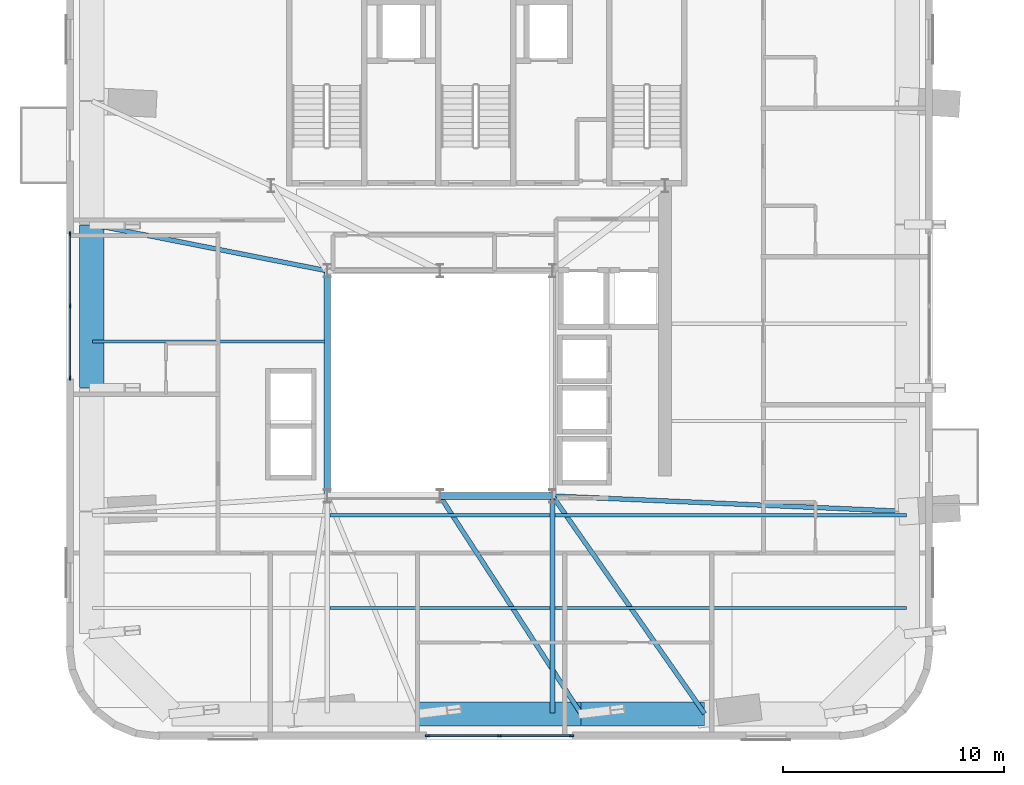
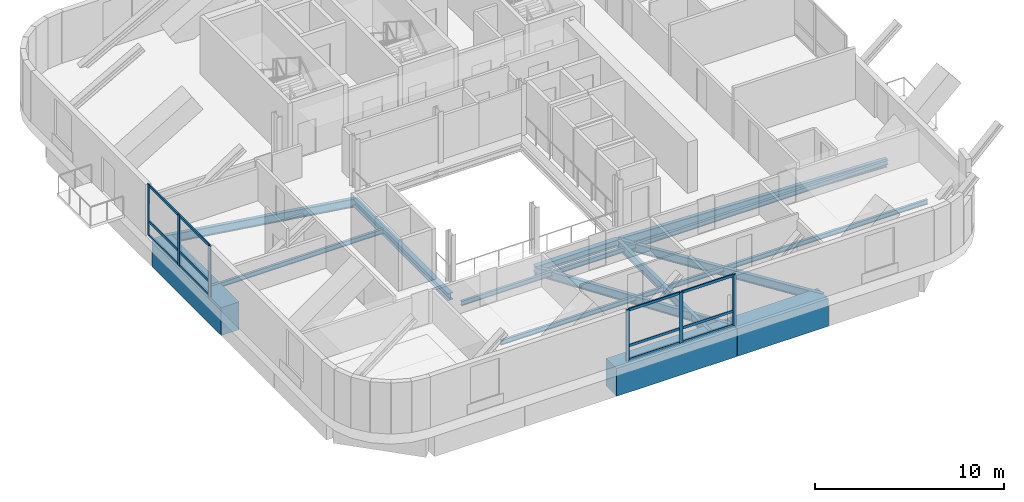
# One storey, part 2 of 12: 18 members, 15 beams, 2 elements without a shape of their own.
"""IFC4 building model written with IfcOpenShell, lengths in metres."""

from ifc_helpers import new_model, si_unit, direction, frame, origin, origin_2d, place, context, subcontext, project, spatial, rectangle, i_section, extrude, source, transform, mapped, material, material_profile, profile_set, type_object, element, aggregate, save


model = new_model("IFC4")

# Units and contexts
model_context = context("Model", 3, precision=1e-05, world=origin(), true_north=direction((0.0, 1.0)))
body_context = subcontext(model_context, "Body", "Model", "MODEL_VIEW")
ifc_project = project(units=[si_unit("LENGTHUNIT", "METRE"), si_unit("AREAUNIT", "SQUARE_METRE"), si_unit("VOLUMEUNIT", "CUBIC_METRE"), si_unit("PLANEANGLEUNIT", "RADIAN"), si_unit("MASSUNIT", "GRAM", prefix="KILO")], contexts=[model_context])

# Site, building, storey
site_placement = place(None, origin())
site = spatial("IfcSite", under=ifc_project, at=site_placement, CompositionType="ELEMENT")
building_placement = place(site_placement, origin())
building = spatial("IfcBuilding", under=site, at=building_placement, Name="Vardaveli Station Tower", CompositionType="ELEMENT")
storey_placement = place(building_placement, frame((0.0, 0.0, 282.199951171875)))
storey = spatial("IfcBuildingStorey", under=building, at=storey_placement, Name="L72", CompositionType="ELEMENT", Elevation=282.199951171875)

# Beams
ifc_material_1 = material(Name="Structural steel S355J2", Category="steel")
ifc_material_profile_1 = material_profile(ifc_material_1, i_section(OverallWidth=0.300048828125, OverallDepth=0.449951171875, WebThickness=0.013916015625, FlangeThickness=0.02587890625, FilletRadius=0.027099609375, at=origin_2d()), Name="HEB 450")
ifc_profile_set_1 = profile_set([ifc_material_profile_1], Name="Structural steel S355J2")
beam_type_1 = type_object("IfcBeamType", Name="BM-HEB450", PredefinedType="BEAM", material=ifc_profile_set_1)
shared_shape_1 = source(origin(), body_context, "Body", "SweptSolid", [
    extrude(i_section(OverallWidth=0.300048828125, OverallDepth=0.449951171875, WebThickness=0.013916015625, FlangeThickness=0.02587890625, FilletRadius=0.027099609375, at=origin_2d()), origin(), (0.0, 0.0, 1.0), 5.059814453125),
])
beam_1_placement = place(storey_placement, frame((36.320068359375, 16.60009765625, -0.875), z_axis=(1.0, 0.0, 0.0), x_axis=(0.0, 1.0, 0.0)))
element("IfcBeam", 1, at=beam_1_placement, inside=storey, type_object=beam_type_1, Name="ABM-L72-02", PredefinedType="BEAM", context=body_context, shape_type="MappedRepresentation", body=[
    mapped(shared_shape_1, transform((0.0, 0.0, 0.0), scale=1.0)),
])
shared_shape_2 = source(origin(), body_context, "Body", "SweptSolid", [
    extrude(i_section(OverallWidth=0.300048828125, OverallDepth=0.449951171875, WebThickness=0.013916015625, FlangeThickness=0.02587890625, FilletRadius=0.027099609375, at=origin_2d()), origin(), (0.0, 0.0, 1.0), 10.159912109375),
])
beam_2_placement = place(storey_placement, frame((31.199951171875, 26.780029296875, -0.875), z_axis=(0.0, -1.0, 0.0), x_axis=(1.0, 0.0, 0.0)))
element("IfcBeam", 2, at=beam_2_placement, inside=storey, type_object=beam_type_1, Name="ABM-L72-06", PredefinedType="BEAM", context=body_context, shape_type="MappedRepresentation", body=[
    mapped(shared_shape_2, transform((0.0, 0.0, 0.0), scale=1.0)),
])
ifc_material_profile_2 = material_profile(ifc_material_1, i_section(OverallWidth=0.14990234375, OverallDepth=0.300048828125, WebThickness=0.007080078125, FlangeThickness=0.0107421875, FilletRadius=0.014892578125, at=origin_2d()), Name="IPE 300")
ifc_profile_set_2 = profile_set([ifc_material_profile_2], Name="Structural steel S355J2")
beam_type_2 = type_object("IfcBeamType", Name="BM-IPE300", PredefinedType="JOIST", material=ifc_profile_set_2)
shared_shape_3 = source(origin(), body_context, "Body", "SweptSolid", [
    extrude(i_section(OverallWidth=0.14990234375, OverallDepth=0.300048828125, WebThickness=0.007080078125, FlangeThickness=0.0107421875, FilletRadius=0.014892578125, at=origin_2d()), origin(), (0.0, 0.0, 1.0), 9.97607421875),
])
for number, where, z_axis, x_axis, name in (
    (3, (31.31201171875, 11.530029296875, -0.800048828125), (1.0, 0.0, 0.0), (0.0, 1.0, 0.0), "SJ-L72-S02"),
    (4, (31.31201171875, 15.72998046875, -0.800048828125), (1.0, 0.0, 0.0), (0.0, 1.0, 0.0), "SJ-L72-S05"),
):
    element("IfcBeam", number, at=place(storey_placement, frame(where, z_axis=z_axis, x_axis=x_axis)), inside=storey, type_object=beam_type_2, Name=name, PredefinedType="JOIST", context=body_context, shape_type="MappedRepresentation", body=[
        mapped(shared_shape_3, transform((0.0, 0.0, 0.0), scale=1.0)),
    ])
ifc_material_2 = material(Name="Concrete C60/75", Category="concrete")
ifc_material_profile_3 = material_profile(ifc_material_2, rectangle(XDim=1.10009765625, YDim=1.800048828125, at=origin_2d()), Name="TG 1100x1800")
ifc_profile_set_3 = profile_set([ifc_material_profile_3], Name="Concrete C60/75")
beam_type_3 = type_object("IfcBeamType", Name="BM-TG-1800", PredefinedType="BEAM", material=ifc_profile_set_3)
shared_shape_4 = source(origin(), body_context, "Body", "SweptSolid", [
    extrude(rectangle(XDim=1.10009765625, YDim=1.800048828125, at=origin_2d()), origin(), (0.0, 0.0, 1.0), 5.56005859375),
])
beam_3_placement = place(storey_placement, frame((42.719970703125, 6.72998046875, -1.550048828125), z_axis=(1.0, 0.0, 0.0), x_axis=(0.0, 1.0, 0.0)))
element("IfcBeam", 5, at=beam_3_placement, inside=storey, type_object=beam_type_3, Name="RBM-L72-03", PredefinedType="BEAM", context=body_context, shape_type="MappedRepresentation", body=[
    mapped(shared_shape_4, transform((0.0, 0.0, 0.0), scale=1.0)),
])
shared_shape_5 = source(origin(), body_context, "Body", "SweptSolid", [
    extrude(rectangle(XDim=1.10009765625, YDim=1.800048828125, at=origin_2d()), origin(), (0.0, 0.0, 1.0), 7.35986328125),
])
for number, where, z_axis, x_axis, name in (
    (6, (35.320068359375, 6.72998046875, -1.550048828125), (1.0, 0.0, 0.0), (0.0, 1.0, 0.0), "RBM-L72-02"),
    (7, (20.530029296875, 28.8798828125, -1.550048828125), (0.0, -1.0, 0.0), (1.0, 0.0, 0.0), "RBM-L72-20"),
):
    element("IfcBeam", number, at=place(storey_placement, frame(where, z_axis=z_axis, x_axis=x_axis)), inside=storey, type_object=beam_type_3, Name=name, PredefinedType="BEAM", context=body_context, shape_type="MappedRepresentation", body=[
        mapped(shared_shape_5, transform((0.0, 0.0, 0.0), scale=1.0)),
    ])
ifc_material_profile_4 = material_profile(ifc_material_1, i_section(OverallWidth=0.2099609375, OverallDepth=0.550048828125, WebThickness=0.010986328125, FlangeThickness=0.01708984375, FilletRadius=0.02392578125, at=origin_2d()), Name="IPE 550")
ifc_profile_set_4 = profile_set([ifc_material_profile_4], Name="Structural steel S355J2")
beam_type_4 = type_object("IfcBeamType", Name="BM-IPE550", PredefinedType="BEAM", material=ifc_profile_set_4)
shared_shape_6 = source(origin(), body_context, "Body", "SweptSolid", [
    extrude(i_section(OverallWidth=0.2099609375, OverallDepth=0.550048828125, WebThickness=0.010986328125, FlangeThickness=0.01708984375, FilletRadius=0.02392578125, at=origin_2d()), origin(), (0.0, 0.0, 1.0), 11.723388671875),
])
beam_4_placement = place(storey_placement, frame((42.689208984375, 6.746826171875, -0.925048828125), z_axis=(-0.544073045178, 0.839037854635, 0.0), x_axis=(-0.839037854635, -0.544073045178, 0.0)))
element("IfcBeam", 8, at=beam_4_placement, inside=storey, type_object=beam_type_4, Name="GBM-L72-03", PredefinedType="BEAM", context=body_context, shape_type="MappedRepresentation", body=[
    mapped(shared_shape_6, transform((0.0, 0.0, 0.0), scale=1.0)),
])
shared_shape_7 = source(origin(), body_context, "Body", "SweptSolid", [
    extrude(i_section(OverallWidth=0.2099609375, OverallDepth=0.550048828125, WebThickness=0.010986328125, FlangeThickness=0.01708984375, FilletRadius=0.02392578125, at=origin_2d()), origin(), (0.0, 0.0, 1.0), 12.002685546875),
])
beam_5_placement = place(storey_placement, frame((48.28857421875, 6.746337890625, -0.925048828125), z_axis=(-0.572969428968, 0.819576740439, 0.0), x_axis=(-0.819576740439, -0.572969428968, 0.0)))
element("IfcBeam", 9, at=beam_5_placement, inside=storey, type_object=beam_type_4, Name="GBM-L72-04", PredefinedType="BEAM", context=body_context, shape_type="MappedRepresentation", body=[
    mapped(shared_shape_7, transform((0.0, 0.0, 0.0), scale=1.0)),
])
shared_shape_8 = source(origin(), body_context, "Body", "SweptSolid", [
    extrude(i_section(OverallWidth=0.2099609375, OverallDepth=0.550048828125, WebThickness=0.010986328125, FlangeThickness=0.01708984375, FilletRadius=0.02392578125, at=origin_2d()), origin(), (0.0, 0.0, 1.0), 16.045166015625),
])
beam_6_placement = place(storey_placement, frame((57.449951171875, 15.90087890625, -0.925048828125), z_axis=(-0.99905268137, 0.04351712132, 0.0), x_axis=(-0.04351712132, -0.99905268137, 0.0)))
element("IfcBeam", 10, at=beam_6_placement, inside=storey, type_object=beam_type_4, Name="GBM-L72-05", PredefinedType="BEAM", context=body_context, shape_type="MappedRepresentation", body=[
    mapped(shared_shape_8, transform((0.0, 0.0, 0.0), scale=1.0)),
])
shared_shape_9 = source(origin(), body_context, "Body", "SweptSolid", [
    extrude(i_section(OverallWidth=0.2099609375, OverallDepth=0.550048828125, WebThickness=0.010986328125, FlangeThickness=0.01708984375, FilletRadius=0.02392578125, at=origin_2d()), origin(), (0.0, 0.0, 1.0), 10.834716796875),
])
beam_7_placement = place(storey_placement, frame((20.549560546875, 28.896240234375, -0.925048828125), z_axis=(0.981177522349, -0.193107922252, 0.0), x_axis=(0.193107922252, 0.981177522349, 0.0)))
element("IfcBeam", 11, at=beam_7_placement, inside=storey, type_object=beam_type_4, Name="GBM-L72-08", PredefinedType="BEAM", context=body_context, shape_type="MappedRepresentation", body=[
    mapped(shared_shape_9, transform((0.0, 0.0, 0.0), scale=1.0)),
])
shared_shape_10 = source(origin(), body_context, "Body", "SweptSolid", [
    extrude(i_section(OverallWidth=0.2099609375, OverallDepth=0.550048828125, WebThickness=0.010986328125, FlangeThickness=0.01708984375, FilletRadius=0.02392578125, at=origin_2d()), origin(), (0.0, 0.0, 1.0), 9.68994140625),
])
beam_8_placement = place(storey_placement, frame((41.39990234375, 6.77001953125, -0.925048828125), z_axis=(0.0, 1.0, 0.0), x_axis=(-1.0, 0.0, 0.0)))
element("IfcBeam", 12, at=beam_8_placement, inside=storey, type_object=beam_type_4, Name="NSM-L72-S2", PredefinedType="BEAM", context=body_context, shape_type="MappedRepresentation", body=[
    mapped(shared_shape_10, transform((0.0, 0.0, 0.0), scale=1.0)),
])
shared_shape_11 = source(origin(), body_context, "Body", "SweptSolid", [
    extrude(i_section(OverallWidth=0.14990234375, OverallDepth=0.300048828125, WebThickness=0.007080078125, FlangeThickness=0.0107421875, FilletRadius=0.014892578125, at=origin_2d()), origin(), (0.0, 0.0, 1.0), 10.517822265625),
])
beam_9_placement = place(storey_placement, frame((20.570068359375, 23.60009765625, -0.800048828125), z_axis=(1.0, 0.0, 0.0), x_axis=(0.0, 1.0, 0.0)))
element("IfcBeam", 13, at=beam_9_placement, inside=storey, type_object=beam_type_2, Name="SJ-L72-W08", PredefinedType="JOIST", context=body_context, shape_type="MappedRepresentation", body=[
    mapped(shared_shape_11, transform((0.0, 0.0, 0.0), scale=1.0)),
])
shared_shape_12 = source(origin(), body_context, "Body", "SweptSolid", [
    extrude(i_section(OverallWidth=0.14990234375, OverallDepth=0.300048828125, WebThickness=0.007080078125, FlangeThickness=0.0107421875, FilletRadius=0.014892578125, at=origin_2d()), origin(), (0.0, 0.0, 1.0), 15.91796875),
])
for number, where, z_axis, x_axis, name in (
    (14, (41.511962890625, 11.530029296875, -0.800048828125), (1.0, 0.0, 0.0), (0.0, 1.0, 0.0), "SJ-L72-S03"),
    (15, (41.511962890625, 15.72998046875, -0.800048828125), (1.0, 0.0, 0.0), (0.0, 1.0, 0.0), "SJ-L72-S06"),
):
    element("IfcBeam", number, at=place(storey_placement, frame(where, z_axis=z_axis, x_axis=x_axis)), inside=storey, type_object=beam_type_2, Name=name, PredefinedType="JOIST", context=body_context, shape_type="MappedRepresentation", body=[
        mapped(shared_shape_12, transform((0.0, 0.0, 0.0), scale=1.0)),
    ])

# Curtain wall, members
ifc_material_3 = material(Name="Travertine stone and solar-control glass", Category="masonry")
curtain_wall_type = type_object("IfcCurtainWallType", Name="CW-SYS-5", PredefinedType="NOTDEFINED", material=ifc_material_3)
curtain_wall_1_placement = place(storey_placement, origin())
curtain_wall_1 = element("IfcCurtainWall", 16, at=curtain_wall_1_placement, inside=storey, type_object=curtain_wall_type, Name="CW-L72-S", PredefinedType="NOTDEFINED")
ifc_material_4 = material(Name="Anodised aluminium alloy 6063-T6", Category="aluminium")
ifc_material_profile_5 = material_profile(ifc_material_4, rectangle(XDim=0.080078125, YDim=0.1650390625, at=origin_2d()), Name="CWT 80x165")
ifc_profile_set_5 = profile_set([ifc_material_profile_5], Name="Anodised aluminium alloy 6063-T6")
member_type_1 = type_object("IfcMemberType", Name="CW-SYS-5-TRAN", PredefinedType="NOTDEFINED", material=ifc_profile_set_5)
shared_shape_13 = source(origin(), body_context, "Body", "SweptSolid", [
    extrude(rectangle(XDim=0.080078125, YDim=0.1650390625, at=origin_2d()), origin(), (0.0, 0.0, 1.0), 3.179931640625),
])
member_1_placement = place(storey_placement, frame((35.780029296875, 5.739990234375, 0.0400390625), z_axis=(1.0, 0.0, 0.0), x_axis=(0.0, 1.0, 0.0)))
member_1 = element("IfcMember", 17, at=member_1_placement, type_object=member_type_1, Name="CW-5 transom 1.1", ObjectType="TRANSOM", PredefinedType="USERDEFINED", context=body_context, shape_type="MappedRepresentation", body=[
    mapped(shared_shape_13, transform((0.0, 0.0, 0.0), scale=1.0)),
])
member_2_placement = place(storey_placement, frame((35.780029296875, 5.739990234375, 0.949951171875), z_axis=(1.0, 0.0, 0.0), x_axis=(0.0, 1.0, 0.0)))
member_2 = element("IfcMember", 18, at=member_2_placement, type_object=member_type_1, Name="CW-5 transom 1.2", ObjectType="TRANSOM", PredefinedType="USERDEFINED", context=body_context, shape_type="MappedRepresentation", body=[
    mapped(shared_shape_13, transform((0.0, 0.0, 0.0), scale=1.0)),
])
member_3_placement = place(storey_placement, frame((35.780029296875, 5.739990234375, 3.260009765625), z_axis=(1.0, 0.0, 0.0), x_axis=(0.0, 1.0, 0.0)))
member_3 = element("IfcMember", 19, at=member_3_placement, type_object=member_type_1, Name="CW-5 transom 1.3", ObjectType="TRANSOM", PredefinedType="USERDEFINED", context=body_context, shape_type="MappedRepresentation", body=[
    mapped(shared_shape_13, transform((0.0, 0.0, 0.0), scale=1.0)),
])
member_4_placement = place(storey_placement, frame((39.0400390625, 5.739990234375, 0.0400390625), z_axis=(1.0, 0.0, 0.0), x_axis=(0.0, 1.0, 0.0)))
member_4 = element("IfcMember", 20, at=member_4_placement, type_object=member_type_1, Name="CW-5 transom 2.1", ObjectType="TRANSOM", PredefinedType="USERDEFINED", context=body_context, shape_type="MappedRepresentation", body=[
    mapped(shared_shape_13, transform((0.0, 0.0, 0.0), scale=1.0)),
])
member_5_placement = place(storey_placement, frame((39.0400390625, 5.739990234375, 0.949951171875), z_axis=(1.0, 0.0, 0.0), x_axis=(0.0, 1.0, 0.0)))
member_5 = element("IfcMember", 21, at=member_5_placement, type_object=member_type_1, Name="CW-5 transom 2.2", ObjectType="TRANSOM", PredefinedType="USERDEFINED", context=body_context, shape_type="MappedRepresentation", body=[
    mapped(shared_shape_13, transform((0.0, 0.0, 0.0), scale=1.0)),
])
member_6_placement = place(storey_placement, frame((39.0400390625, 5.739990234375, 3.260009765625), z_axis=(1.0, 0.0, 0.0), x_axis=(0.0, 1.0, 0.0)))
member_6 = element("IfcMember", 22, at=member_6_placement, type_object=member_type_1, Name="CW-5 transom 2.3", ObjectType="TRANSOM", PredefinedType="USERDEFINED", context=body_context, shape_type="MappedRepresentation", body=[
    mapped(shared_shape_13, transform((0.0, 0.0, 0.0), scale=1.0)),
])

curtain_wall_2_placement = place(storey_placement, origin())
curtain_wall_2 = element("IfcCurtainWall", 23, at=curtain_wall_2_placement, inside=storey, type_object=curtain_wall_type, Name="CW-L72-W", PredefinedType="NOTDEFINED")
member_7_placement = place(storey_placement, frame((19.5400390625, 28.419921875, 0.0400390625), z_axis=(0.0, -1.0, 0.0), x_axis=(1.0, 0.0, 0.0)))
member_7 = element("IfcMember", 24, at=member_7_placement, type_object=member_type_1, Name="CW-5 transom 1.1", ObjectType="TRANSOM", PredefinedType="USERDEFINED", context=body_context, shape_type="MappedRepresentation", body=[
    mapped(shared_shape_13, transform((0.0, 0.0, 0.0), scale=1.0)),
])
member_8_placement = place(storey_placement, frame((19.5400390625, 28.419921875, 0.949951171875), z_axis=(0.0, -1.0, 0.0), x_axis=(1.0, 0.0, 0.0)))
member_8 = element("IfcMember", 25, at=member_8_placement, type_object=member_type_1, Name="CW-5 transom 1.2", ObjectType="TRANSOM", PredefinedType="USERDEFINED", context=body_context, shape_type="MappedRepresentation", body=[
    mapped(shared_shape_13, transform((0.0, 0.0, 0.0), scale=1.0)),
])
member_9_placement = place(storey_placement, frame((19.5400390625, 28.419921875, 3.260009765625), z_axis=(0.0, -1.0, 0.0), x_axis=(1.0, 0.0, 0.0)))
member_9 = element("IfcMember", 26, at=member_9_placement, type_object=member_type_1, Name="CW-5 transom 1.3", ObjectType="TRANSOM", PredefinedType="USERDEFINED", context=body_context, shape_type="MappedRepresentation", body=[
    mapped(shared_shape_13, transform((0.0, 0.0, 0.0), scale=1.0)),
])
member_10_placement = place(storey_placement, frame((19.5400390625, 25.159912109375, 0.0400390625), z_axis=(0.0, -1.0, 0.0), x_axis=(1.0, 0.0, 0.0)))
member_10 = element("IfcMember", 27, at=member_10_placement, type_object=member_type_1, Name="CW-5 transom 2.1", ObjectType="TRANSOM", PredefinedType="USERDEFINED", context=body_context, shape_type="MappedRepresentation", body=[
    mapped(shared_shape_13, transform((0.0, 0.0, 0.0), scale=1.0)),
])
member_11_placement = place(storey_placement, frame((19.5400390625, 25.159912109375, 0.949951171875), z_axis=(0.0, -1.0, 0.0), x_axis=(1.0, 0.0, 0.0)))
member_11 = element("IfcMember", 28, at=member_11_placement, type_object=member_type_1, Name="CW-5 transom 2.2", ObjectType="TRANSOM", PredefinedType="USERDEFINED", context=body_context, shape_type="MappedRepresentation", body=[
    mapped(shared_shape_13, transform((0.0, 0.0, 0.0), scale=1.0)),
])
member_12_placement = place(storey_placement, frame((19.5400390625, 25.159912109375, 3.260009765625), z_axis=(0.0, -1.0, 0.0), x_axis=(1.0, 0.0, 0.0)))
member_12 = element("IfcMember", 29, at=member_12_placement, type_object=member_type_1, Name="CW-5 transom 2.3", ObjectType="TRANSOM", PredefinedType="USERDEFINED", context=body_context, shape_type="MappedRepresentation", body=[
    mapped(shared_shape_13, transform((0.0, 0.0, 0.0), scale=1.0)),
])

# Member
ifc_material_profile_6 = material_profile(ifc_material_4, rectangle(XDim=0.080078125, YDim=0.205078125, at=origin_2d()), Name="CWM 80x205")
ifc_profile_set_6 = profile_set([ifc_material_profile_6], Name="Anodised aluminium alloy 6063-T6")
member_type_2 = type_object("IfcMemberType", Name="CW-SYS-5-MULL", PredefinedType="MULLION", material=ifc_profile_set_6)
shared_shape_14 = source(origin(), body_context, "Body", "SweptSolid", [
    extrude(rectangle(XDim=0.080078125, YDim=0.205078125, at=origin_2d()), origin(), (0.0, 0.0, 1.0), 3.300048828125),
])
member_13_placement = place(storey_placement, frame((35.739990234375, 5.739990234375, 0.0), z_axis=(0.0, 0.0, 1.0), x_axis=(0.0, 1.0, 0.0)))
member_13 = element("IfcMember", 30, at=member_13_placement, type_object=member_type_2, Name="CW-5 mullion 1", PredefinedType="MULLION", context=body_context, shape_type="MappedRepresentation", body=[
    mapped(shared_shape_14, transform((0.0, 0.0, 0.0), scale=1.0)),
])

member_14_placement = place(storey_placement, frame((39.0, 5.739990234375, 0.0), z_axis=(0.0, 0.0, 1.0), x_axis=(0.0, 1.0, 0.0)))
member_14 = element("IfcMember", 31, at=member_14_placement, type_object=member_type_2, Name="CW-5 mullion 2", PredefinedType="MULLION", context=body_context, shape_type="MappedRepresentation", body=[
    mapped(shared_shape_14, transform((0.0, 0.0, 0.0), scale=1.0)),
])

member_15_placement = place(storey_placement, frame((42.260009765625, 5.739990234375, 0.0), z_axis=(0.0, 0.0, 1.0), x_axis=(0.0, 1.0, 0.0)))
member_15 = element("IfcMember", 32, at=member_15_placement, type_object=member_type_2, Name="CW-5 mullion 3", PredefinedType="MULLION", context=body_context, shape_type="MappedRepresentation", body=[
    mapped(shared_shape_14, transform((0.0, 0.0, 0.0), scale=1.0)),
])

aggregate(curtain_wall_1, [member_13, member_14, member_15, member_1, member_2, member_3, member_4, member_5, member_6])

member_16_placement = place(storey_placement, frame((19.5400390625, 28.4599609375, 0.0), z_axis=(0.0, 0.0, 1.0), x_axis=(1.0, 0.0, 0.0)))
member_16 = element("IfcMember", 33, at=member_16_placement, type_object=member_type_2, Name="CW-5 mullion 1", PredefinedType="MULLION", context=body_context, shape_type="MappedRepresentation", body=[
    mapped(shared_shape_14, transform((0.0, 0.0, 0.0), scale=1.0)),
])

member_17_placement = place(storey_placement, frame((19.5400390625, 25.199951171875, 0.0), z_axis=(0.0, 0.0, 1.0), x_axis=(1.0, 0.0, 0.0)))
member_17 = element("IfcMember", 34, at=member_17_placement, type_object=member_type_2, Name="CW-5 mullion 2", PredefinedType="MULLION", context=body_context, shape_type="MappedRepresentation", body=[
    mapped(shared_shape_14, transform((0.0, 0.0, 0.0), scale=1.0)),
])

member_18_placement = place(storey_placement, frame((19.5400390625, 21.93994140625, 0.0), z_axis=(0.0, 0.0, 1.0), x_axis=(1.0, 0.0, 0.0)))
member_18 = element("IfcMember", 35, at=member_18_placement, type_object=member_type_2, Name="CW-5 mullion 3", PredefinedType="MULLION", context=body_context, shape_type="MappedRepresentation", body=[
    mapped(shared_shape_14, transform((0.0, 0.0, 0.0), scale=1.0)),
])

aggregate(curtain_wall_2, [member_16, member_17, member_18, member_7, member_8, member_9, member_10, member_11, member_12])

save(model, "model.ifc")
